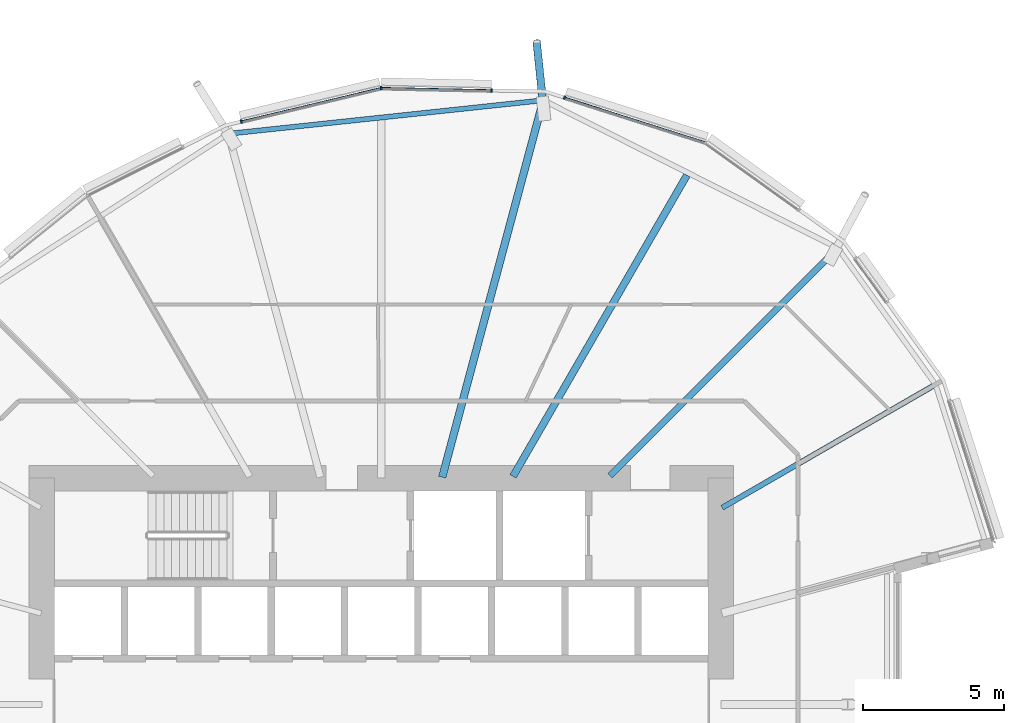
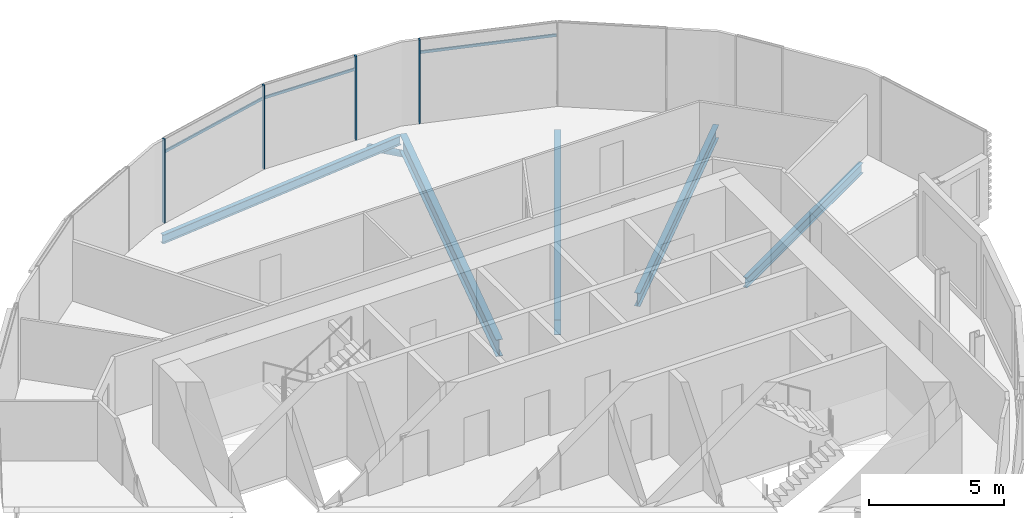
# One storey, part 18 of 38: 8 members, 5 beams, 1 element without a shape of its own.
"""IFC4 building model written with IfcOpenShell, lengths in metres."""

from ifc_helpers import new_model, si_unit, direction, frame, origin, origin_2d, place, context, subcontext, project, spatial, rectangle, hollow_circle, i_section, extrude, clip, halfspace, material, material_profile, profile_set, type_object, element, aggregate, save


model = new_model("IFC4")

# Units and contexts
model_context = context("Model", 3, precision=1e-05, world=origin(), true_north=direction((0.0, 1.0)))
body_context = subcontext(model_context, "Body", "Model", "MODEL_VIEW")
ifc_project = project(units=[si_unit("LENGTHUNIT", "METRE"), si_unit("AREAUNIT", "SQUARE_METRE"), si_unit("VOLUMEUNIT", "CUBIC_METRE"), si_unit("PLANEANGLEUNIT", "RADIAN"), si_unit("MASSUNIT", "GRAM", prefix="KILO")], contexts=[model_context])

# Site, building, storey
site_placement = place(None, origin())
site = spatial("IfcSite", under=ifc_project, at=site_placement, CompositionType="ELEMENT")
building_placement = place(site_placement, origin())
building = spatial("IfcBuilding", under=site, at=building_placement, Name="Rimbun Link Towers", CompositionType="ELEMENT")
storey_placement = place(building_placement, frame((0.0, 0.0, 56.60009765625)))
storey = spatial("IfcBuildingStorey", under=building, at=storey_placement, Name="L13", CompositionType="ELEMENT", Elevation=56.60009765625)

# Curtain wall, members
ifc_material_1 = material(Name="Aluminium 6063-T6 and low-iron glass", Category="aluminium")
curtain_wall_type = type_object("IfcCurtainWallType", Name="CW1 unitised vision wall", PredefinedType="NOTDEFINED", material=ifc_material_1)
curtain_wall_placement = place(storey_placement, origin())
curtain_wall = element("IfcCurtainWall", 1, at=curtain_wall_placement, inside=storey, type_object=curtain_wall_type, Name="CW1 L13 T2", PredefinedType="NOTDEFINED")
ifc_material_2 = material(Name="Aluminium 6063-T6", Category="aluminium")
ifc_material_profile_1 = material_profile(ifc_material_2, rectangle(XDim=0.1201171875, YDim=0.06005859375, at=origin_2d()), Name="MULLION 60X120")
ifc_profile_set_1 = profile_set([ifc_material_profile_1], Name="Aluminium 6063-T6")
member_type_1 = type_object("IfcMemberType", Name="CW1 mullion 60X120", PredefinedType="MULLION", material=ifc_profile_set_1)
member_1_placement = place(storey_placement, frame((38.22509765625, 21.453369140625, 0.0), z_axis=(0.0, 0.0, 1.0), x_axis=(0.303073433186, 0.952967205153, 0.0)))
member_1 = element("IfcMember", 2, at=member_1_placement, type_object=member_type_1, Name="CW1 mullion", PredefinedType="MULLION", context=body_context, shape_type="SweptSolid", body=[
    extrude(rectangle(XDim=0.1201171875, YDim=0.06005859375, at=origin_2d()), origin(), (0.0, 0.0, 1.0), 3.7998046875),
])
member_2_placement = place(storey_placement, frame((31.74365234375, 21.7900390625, 0.0), z_axis=(0.0, 0.0, 1.0), x_axis=(-0.106639525927, 0.994297747916, 0.0)))
member_2 = element("IfcMember", 3, at=member_2_placement, type_object=member_type_1, Name="CW1 mullion", PredefinedType="MULLION", context=body_context, shape_type="SweptSolid", body=[
    extrude(rectangle(XDim=0.1201171875, YDim=0.06005859375, at=origin_2d()), origin(), (0.0, 0.0, 1.0), 3.7998046875),
])
member_3_placement = place(storey_placement, frame((35.6416015625, 21.708251953125, 0.0), z_axis=(0.0, 0.0, 1.0), x_axis=(0.02106649948, 0.999778076675, 0.0)))
member_3 = element("IfcMember", 4, at=member_3_placement, type_object=member_type_1, Name="CW1 mullion", PredefinedType="MULLION", context=body_context, shape_type="SweptSolid", body=[
    extrude(rectangle(XDim=0.1201171875, YDim=0.06005859375, at=origin_2d()), origin(), (0.0, 0.0, 1.0), 3.7998046875),
])
member_4_placement = place(storey_placement, frame((26.799072265625, 20.60791015625, 0.0), z_axis=(0.0, 0.0, 1.0), x_axis=(-0.232603182737, 0.972571724543, 0.0)))
member_4 = element("IfcMember", 5, at=member_4_placement, type_object=member_type_1, Name="CW1 mullion", PredefinedType="MULLION", context=body_context, shape_type="SweptSolid", body=[
    extrude(rectangle(XDim=0.1201171875, YDim=0.06005859375, at=origin_2d()), origin(), (0.0, 0.0, 1.0), 3.7998046875),
])
ifc_material_3 = material(Name="Aluminium 6063-T6", Category="aluminium")
ifc_material_profile_2 = material_profile(ifc_material_3, rectangle(XDim=0.06005859375, YDim=0.1201171875, at=origin_2d()), Name="TRANSOM 60X120")
ifc_profile_set_2 = profile_set([ifc_material_profile_2], Name="Aluminium 6063-T6")
member_type_2 = type_object("IfcMemberType", Name="CW1 transom 60X120", PredefinedType="USERDEFINED", material=ifc_profile_set_2)
member_5_placement = place(storey_placement, frame((38.253173828125, 21.4423828125, 3.199951171875), z_axis=(0.95296300276, -0.303086646639, 0.0), x_axis=(0.303086646639, 0.95296300276, 0.0)))
member_5 = element("IfcMember", 6, at=member_5_placement, type_object=member_type_2, Name="CW1 transom", ObjectType="TRANSOM", PredefinedType="USERDEFINED", context=body_context, shape_type="SweptSolid", body=[
    extrude(rectangle(XDim=0.06005859375, YDim=0.1201171875, at=origin_2d()), origin(), (0.0, 0.0, 1.0), 5.16748046875),
])
member_6_placement = place(storey_placement, frame((31.78125, 21.78759765625, 3.199951171875), z_axis=(0.999778862049, -0.021029193988, 0.0), x_axis=(0.021029193988, 0.999778862049, 0.0)))
member_6 = element("IfcMember", 7, at=member_6_placement, type_object=member_type_2, Name="CW1 transom", ObjectType="TRANSOM", PredefinedType="USERDEFINED", context=body_context, shape_type="SweptSolid", body=[
    extrude(rectangle(XDim=0.06005859375, YDim=0.1201171875, at=origin_2d()), origin(), (0.0, 0.0, 1.0), 3.8310546875),
])
member_7_placement = place(storey_placement, frame((26.82861328125, 20.613037109375, 3.199951171875), z_axis=(0.972573865596, 0.23259423028, 0.0), x_axis=(-0.23259423028, 0.972573865596, 0.0)))
member_7 = element("IfcMember", 8, at=member_7_placement, type_object=member_type_2, Name="CW1 transom", ObjectType="TRANSOM", PredefinedType="USERDEFINED", context=body_context, shape_type="SweptSolid", body=[
    extrude(rectangle(XDim=0.06005859375, YDim=0.1201171875, at=origin_2d()), origin(), (0.0, 0.0, 1.0), 5.016357421875),
])
aggregate(curtain_wall, [member_1, member_2, member_3, member_4, member_5, member_6, member_7])

# Member
ifc_material_4 = material(Name="Steel S355J2H", Category="steel")
ifc_material_profile_3 = material_profile(ifc_material_4, hollow_circle(Radius=0.136474609375, WallThickness=0.012451171875, at=origin_2d()), Name="CHS 273x12.5")
ifc_profile_set_3 = profile_set([ifc_material_profile_3], Name="Steel S355J2H")
member_type_3 = type_object("IfcMemberType", Name="Floor edge link CHS 273x12.5", PredefinedType="BRACE", material=ifc_profile_set_3)
member_8_placement = place(storey_placement, frame((37.46044921875, 21.311279296875, -1.047607421875), z_axis=(-0.094981195443, 0.91529235697, -0.391431314261), x_axis=(-0.994658844019, -0.103217169185, 0.0)))
element("IfcMember", 9, at=member_8_placement, inside=storey, type_object=member_type_3, Name="Floor edge link T2 L13 02", PredefinedType="BRACE", context=body_context, shape_type="Clipping", body=[
    clip(extrude(hollow_circle(Radius=0.136474609375, WallThickness=0.012451171875, at=origin_2d()), frame((0.0, 0.0, -0.66748046875)), (0.0, 0.0, 1.0), 3.001220703125), halfspace(frame((0.0, 0.0, -0.31494140625), z_axis=(0.0, 0.920207327843, -0.391431314261)), False)),
])

# Beams
ifc_material_5 = material(Name="Steel S355J2", Category="steel")
ifc_material_profile_4 = material_profile(ifc_material_5, i_section(OverallWidth=0.177978515625, OverallDepth=0.406494140625, WebThickness=0.0078125, FlangeThickness=0.0126953125, at=origin_2d()), Name="UB 406x178x60")
ifc_profile_set_4 = profile_set([ifc_material_profile_4], Name="Steel S355J2")
beam_type_1 = type_object("IfcBeamType", Name="UB 406x178x60", PredefinedType="BEAM", material=ifc_profile_set_4)
beam_1_placement = place(storey_placement, frame((37.330078125, 21.344482421875, -0.36328125), z_axis=(-0.994381754429, -0.105853325211, 0.0), x_axis=(0.105853325211, -0.994381754429, 0.0)))
element("IfcBeam", 10, at=beam_1_placement, inside=storey, type_object=beam_type_1, Name="Edge beam T2 L13 02-04", PredefinedType="BEAM", context=body_context, shape_type="SweptSolid", body=[
    extrude(i_section(OverallWidth=0.177978515625, OverallDepth=0.406494140625, WebThickness=0.0078125, FlangeThickness=0.0126953125, at=origin_2d()), origin(), (0.0, 0.0, 1.0), 10.91845703125),
])
ifc_material_6 = material(Name="Steel S355J2", Category="steel")
ifc_material_profile_5 = material_profile(ifc_material_6, i_section(OverallWidth=0.18994140625, OverallDepth=0.453369140625, WebThickness=0.008544921875, FlangeThickness=0.0126953125, at=origin_2d()), Name="UB 457x191x67")
ifc_profile_set_5 = profile_set([ifc_material_profile_5], Name="Steel S355J2")
beam_type_2 = type_object("IfcBeamType", Name="UB 457x191x67", PredefinedType="BEAM", material=ifc_profile_set_5)
beam_2_placement = place(storey_placement, frame((43.79833984375, 6.9560546875, -0.38671875), z_axis=(0.86602236705, 0.500005259741, 0.0), x_axis=(-0.500005259741, 0.86602236705, 0.0)))
element("IfcBeam", 11, at=beam_2_placement, inside=storey, type_object=beam_type_2, Name="Radial beam T2 L13 23", PredefinedType="BEAM", context=body_context, shape_type="SweptSolid", body=[
    extrude(i_section(OverallWidth=0.18994140625, OverallDepth=0.453369140625, WebThickness=0.008544921875, FlangeThickness=0.0126953125, at=origin_2d()), origin(), (0.0, 0.0, 1.0), 8.61865234375),
])
ifc_material_7 = material(Name="Steel S355J2", Category="steel")
ifc_material_profile_6 = material_profile(ifc_material_7, i_section(OverallWidth=0.2275390625, OverallDepth=0.6025390625, WebThickness=0.010498046875, FlangeThickness=0.014892578125, at=origin_2d()), Name="UB 610x229x101")
ifc_profile_set_6 = profile_set([ifc_material_profile_6], Name="Steel S355J2")
beam_type_3 = type_object("IfcBeamType", Name="UB 610x229x101", PredefinedType="BEAM", material=ifc_profile_set_6)
beam_3_placement = place(storey_placement, frame((39.831298828125, 8.081298828125, -0.46142578125), z_axis=(0.707106781187, 0.707106781187, 0.0), x_axis=(-0.707106781187, 0.707106781187, 0.0)))
element("IfcBeam", 12, at=beam_3_placement, inside=storey, type_object=beam_type_3, Name="Radial beam T2 L13 00", PredefinedType="BEAM", context=body_context, shape_type="SweptSolid", body=[
    extrude(i_section(OverallWidth=0.2275390625, OverallDepth=0.6025390625, WebThickness=0.010498046875, FlangeThickness=0.014892578125, at=origin_2d()), origin(), (0.0, 0.0, 1.0), 11.2978515625),
])
ifc_material_8 = material(Name="Steel S355J2", Category="steel")
ifc_material_profile_7 = material_profile(ifc_material_8, i_section(OverallWidth=0.253662109375, OverallDepth=0.68359375, WebThickness=0.012451171875, FlangeThickness=0.01904296875, at=origin_2d()), Name="UB 686x254x140")
ifc_profile_set_7 = profile_set([ifc_material_profile_7], Name="Steel S355J2")
beam_type_4 = type_object("IfcBeamType", Name="UB 686x254x140", PredefinedType="BEAM", material=ifc_profile_set_7)
beam_4_placement = place(storey_placement, frame((36.406005859375, 8.064208984375, -0.501708984375), z_axis=(0.499994660107, 0.866028486751, 0.0), x_axis=(-0.866028486751, 0.499994660107, 0.0)))
element("IfcBeam", 13, at=beam_4_placement, inside=storey, type_object=beam_type_4, Name="Radial beam T2 L13 01", PredefinedType="BEAM", context=body_context, shape_type="SweptSolid", body=[
    extrude(i_section(OverallWidth=0.253662109375, OverallDepth=0.68359375, WebThickness=0.012451171875, FlangeThickness=0.01904296875, at=origin_2d()), origin(), (0.0, 0.0, 1.0), 12.292724609375),
])
ifc_material_9 = material(Name="Steel S355J2", Category="steel")
ifc_material_profile_8 = material_profile(ifc_material_9, i_section(OverallWidth=0.2666015625, OverallDepth=0.76220703125, WebThickness=0.014404296875, FlangeThickness=0.021484375, at=origin_2d()), Name="UB 762x267x173")
ifc_profile_set_8 = profile_set([ifc_material_profile_8], Name="Steel S355J2")
beam_type_5 = type_object("IfcBeamType", Name="UB 762x267x173", PredefinedType="BEAM", material=ifc_profile_set_8)
beam_5_placement = place(storey_placement, frame((33.903076171875, 8.035400390625, -0.541259765625), z_axis=(0.258825730822, 0.965924034831, 0.0), x_axis=(-0.965924034831, 0.258825730822, 0.0)))
element("IfcBeam", 14, at=beam_5_placement, inside=storey, type_object=beam_type_5, Name="Radial beam T2 L13 02", PredefinedType="BEAM", context=body_context, shape_type="SweptSolid", body=[
    extrude(i_section(OverallWidth=0.2666015625, OverallDepth=0.76220703125, WebThickness=0.014404296875, FlangeThickness=0.021484375, at=origin_2d()), origin(), (0.0, 0.0, 1.0), 13.794189453125),
])

save(model, "model.ifc")
